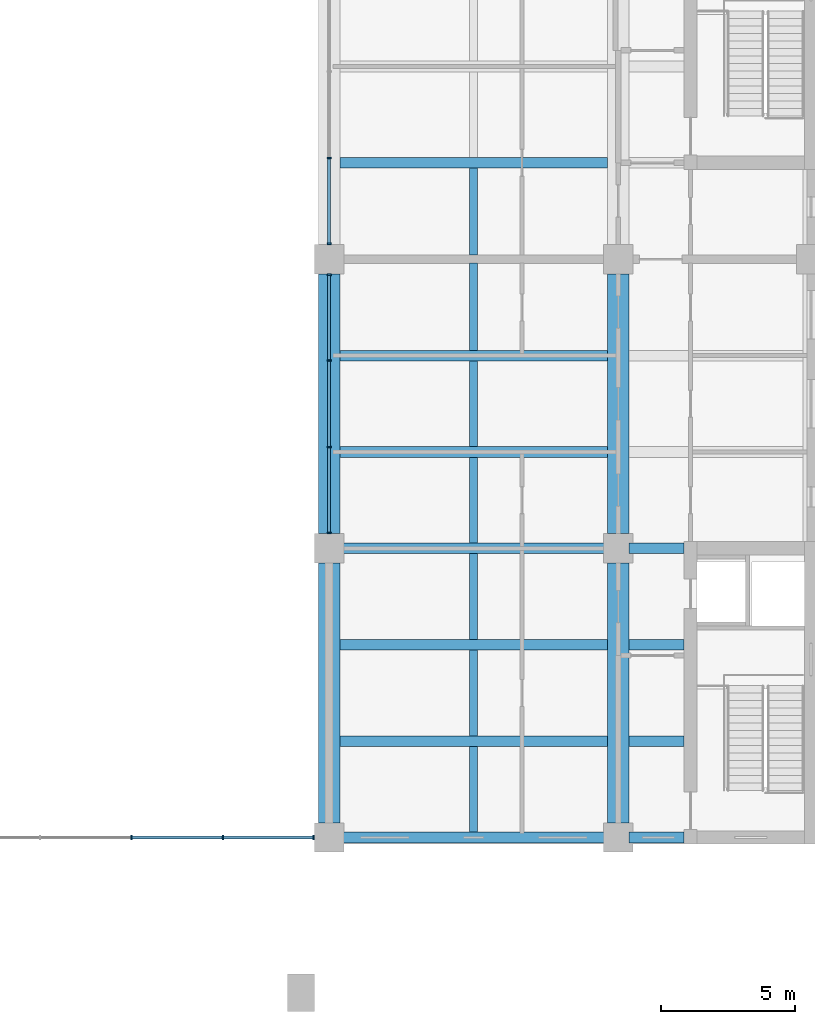
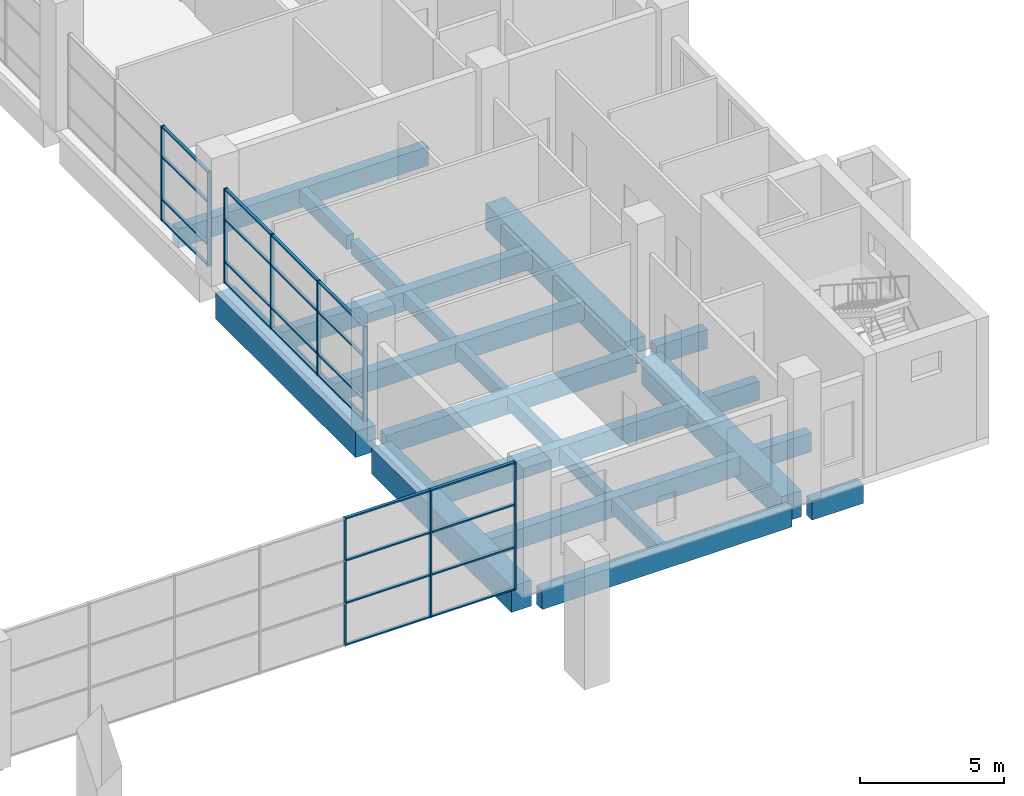
# One storey, part 6 of 32: 33 members, 22 beams, 3 elements without a shape of their own.
"""IFC4 building model written with IfcOpenShell, lengths in metres."""

from ifc_helpers import new_model, si_unit, direction, frame, origin, origin_2d, place, context, subcontext, project, spatial, rectangle, extrude, material, layer, layer_set, material_profile, profile_set, type_object, element, aggregate, save


model = new_model("IFC4")

# Units and contexts
model_context = context("Model", 3, precision=1e-05, world=origin(), true_north=direction((0.0, 1.0)))
body_context = subcontext(model_context, "Body", "Model", "MODEL_VIEW")
ifc_project = project(units=[si_unit("LENGTHUNIT", "METRE"), si_unit("AREAUNIT", "SQUARE_METRE"), si_unit("VOLUMEUNIT", "CUBIC_METRE"), si_unit("PLANEANGLEUNIT", "RADIAN"), si_unit("MASSUNIT", "GRAM", prefix="KILO")], contexts=[model_context])

# Site, building, storey
site_placement = place(None, origin())
site = spatial("IfcSite", under=ifc_project, at=site_placement, CompositionType="ELEMENT")
building_placement = place(site_placement, origin())
building = spatial("IfcBuilding", under=site, at=building_placement, Name="Basin Gate Institute", CompositionType="ELEMENT")
storey_placement = place(building_placement, frame((0.0, 0.0, 11.39990234375)))
storey = spatial("IfcBuildingStorey", under=building, at=storey_placement, Name="L02", CompositionType="ELEMENT", Elevation=11.39990234375)

# Curtain wall, members
ifc_material_1 = material(Name="Aluminium and glass curtain wall", Category="aluminium")
ifc_layer_1 = layer(ifc_material_1, 0.14990234375)
ifc_layer_set_1 = layer_set([ifc_layer_1], Name="Atrium curtain wall CW81")
curtain_wall_type_1 = type_object("IfcCurtainWallType", Name="Atrium curtain wall CW81", PredefinedType="NOTDEFINED", material=ifc_layer_set_1)
curtain_wall_1_placement = place(storey_placement, origin())
curtain_wall_1 = element("IfcCurtainWall", 1, at=curtain_wall_1_placement, inside=storey, type_object=curtain_wall_type_1, material=ifc_layer_set_1, Name="Atrium end screen S L02", PredefinedType="NOTDEFINED")
ifc_material_2 = material(Name="Aluminium mullion", Category="aluminium")
ifc_material_profile_1 = material_profile(ifc_material_2, rectangle(XDim=0.159912109375, YDim=0.06005859375, at=origin_2d()), Name="Atrium mullion MU81 160 x 60")
ifc_profile_set_1 = profile_set([ifc_material_profile_1], Name="Aluminium mullion")
member_type_1 = type_object("IfcMemberType", Name="Atrium mullion MU81", PredefinedType="MULLION", material=ifc_profile_set_1)
member_1_placement = place(storey_placement, frame((93.416748046875, 35.10009765625, 0.0), z_axis=(0.0, 0.0, 1.0), x_axis=(0.0, 1.0, 0.0)))
member_1 = element("IfcMember", 2, at=member_1_placement, type_object=member_type_1, material=ifc_profile_set_1, Name="CW81 mullion 5", PredefinedType="MULLION", context=body_context, shape_type="SweptSolid", body=[
    extrude(rectangle(XDim=0.159912109375, YDim=0.06005859375, at=origin_2d()), origin(), (0.0, 0.0, 1.0), 5.400146484375),
])
member_2_placement = place(storey_placement, frame((96.833251953125, 35.10009765625, 0.0), z_axis=(0.0, 0.0, 1.0), x_axis=(0.0, 1.0, 0.0)))
member_2 = element("IfcMember", 3, at=member_2_placement, type_object=member_type_1, material=ifc_profile_set_1, Name="CW81 mullion 6", PredefinedType="MULLION", context=body_context, shape_type="SweptSolid", body=[
    extrude(rectangle(XDim=0.159912109375, YDim=0.06005859375, at=origin_2d()), origin(), (0.0, 0.0, 1.0), 5.400146484375),
])
member_3_placement = place(storey_placement, frame((100.219970703125, 35.10009765625, 0.0), z_axis=(0.0, 0.0, 1.0), x_axis=(0.0, 1.0, 0.0)))
member_3 = element("IfcMember", 4, at=member_3_placement, type_object=member_type_1, material=ifc_profile_set_1, Name="CW81 mullion 7", PredefinedType="MULLION", context=body_context, shape_type="SweptSolid", body=[
    extrude(rectangle(XDim=0.159912109375, YDim=0.06005859375, at=origin_2d()), origin(), (0.0, 0.0, 1.0), 5.400146484375),
])
ifc_material_3 = material(Name="Aluminium transom", Category="aluminium")
ifc_material_profile_2 = material_profile(ifc_material_3, rectangle(XDim=0.1201171875, YDim=0.06005859375, at=origin_2d()), Name="Atrium transom TR81 120 x 60")
ifc_profile_set_2 = profile_set([ifc_material_profile_2], Name="Aluminium transom")
member_type_2 = type_object("IfcMemberType", Name="Atrium transom TR81", PredefinedType="USERDEFINED", material=ifc_profile_set_2)
member_4_placement = place(storey_placement, frame((93.44677734375, 35.10009765625, 0.030029296875), z_axis=(1.0, 0.0, 0.0), x_axis=(0.0, 1.0, 0.0)))
member_4 = element("IfcMember", 5, at=member_4_placement, type_object=member_type_2, material=ifc_profile_set_2, Name="CW81 transom 5.1", ObjectType="TRANSOM", PredefinedType="USERDEFINED", context=body_context, shape_type="SweptSolid", body=[
    extrude(rectangle(XDim=0.1201171875, YDim=0.06005859375, at=origin_2d()), origin(), (0.0, 0.0, 1.0), 3.3564453125),
])
member_5_placement = place(storey_placement, frame((93.44677734375, 35.10009765625, 1.800048828125), z_axis=(1.0, 0.0, 0.0), x_axis=(0.0, 1.0, 0.0)))
member_5 = element("IfcMember", 6, at=member_5_placement, type_object=member_type_2, material=ifc_profile_set_2, Name="CW81 transom 5.2", ObjectType="TRANSOM", PredefinedType="USERDEFINED", context=body_context, shape_type="SweptSolid", body=[
    extrude(rectangle(XDim=0.1201171875, YDim=0.06005859375, at=origin_2d()), origin(), (0.0, 0.0, 1.0), 3.3564453125),
])
member_6_placement = place(storey_placement, frame((93.44677734375, 35.10009765625, 3.60009765625), z_axis=(1.0, 0.0, 0.0), x_axis=(0.0, 1.0, 0.0)))
member_6 = element("IfcMember", 7, at=member_6_placement, type_object=member_type_2, material=ifc_profile_set_2, Name="CW81 transom 5.3", ObjectType="TRANSOM", PredefinedType="USERDEFINED", context=body_context, shape_type="SweptSolid", body=[
    extrude(rectangle(XDim=0.1201171875, YDim=0.06005859375, at=origin_2d()), origin(), (0.0, 0.0, 1.0), 3.3564453125),
])
member_7_placement = place(storey_placement, frame((93.44677734375, 35.10009765625, 5.3701171875), z_axis=(1.0, 0.0, 0.0), x_axis=(0.0, 1.0, 0.0)))
member_7 = element("IfcMember", 8, at=member_7_placement, type_object=member_type_2, material=ifc_profile_set_2, Name="CW81 transom 5.4", ObjectType="TRANSOM", PredefinedType="USERDEFINED", context=body_context, shape_type="SweptSolid", body=[
    extrude(rectangle(XDim=0.1201171875, YDim=0.06005859375, at=origin_2d()), origin(), (0.0, 0.0, 1.0), 3.3564453125),
])
member_8_placement = place(storey_placement, frame((96.86328125, 35.10009765625, 0.030029296875), z_axis=(1.0, 0.0, 0.0), x_axis=(0.0, 1.0, 0.0)))
member_8 = element("IfcMember", 9, at=member_8_placement, type_object=member_type_2, material=ifc_profile_set_2, Name="CW81 transom 6.1", ObjectType="TRANSOM", PredefinedType="USERDEFINED", context=body_context, shape_type="SweptSolid", body=[
    extrude(rectangle(XDim=0.1201171875, YDim=0.06005859375, at=origin_2d()), origin(), (0.0, 0.0, 1.0), 3.32666015625),
])
member_9_placement = place(storey_placement, frame((96.86328125, 35.10009765625, 1.800048828125), z_axis=(1.0, 0.0, 0.0), x_axis=(0.0, 1.0, 0.0)))
member_9 = element("IfcMember", 10, at=member_9_placement, type_object=member_type_2, material=ifc_profile_set_2, Name="CW81 transom 6.2", ObjectType="TRANSOM", PredefinedType="USERDEFINED", context=body_context, shape_type="SweptSolid", body=[
    extrude(rectangle(XDim=0.1201171875, YDim=0.06005859375, at=origin_2d()), origin(), (0.0, 0.0, 1.0), 3.32666015625),
])
member_10_placement = place(storey_placement, frame((96.86328125, 35.10009765625, 3.60009765625), z_axis=(1.0, 0.0, 0.0), x_axis=(0.0, 1.0, 0.0)))
member_10 = element("IfcMember", 11, at=member_10_placement, type_object=member_type_2, material=ifc_profile_set_2, Name="CW81 transom 6.3", ObjectType="TRANSOM", PredefinedType="USERDEFINED", context=body_context, shape_type="SweptSolid", body=[
    extrude(rectangle(XDim=0.1201171875, YDim=0.06005859375, at=origin_2d()), origin(), (0.0, 0.0, 1.0), 3.32666015625),
])
member_11_placement = place(storey_placement, frame((96.86328125, 35.10009765625, 5.3701171875), z_axis=(1.0, 0.0, 0.0), x_axis=(0.0, 1.0, 0.0)))
member_11 = element("IfcMember", 12, at=member_11_placement, type_object=member_type_2, material=ifc_profile_set_2, Name="CW81 transom 6.4", ObjectType="TRANSOM", PredefinedType="USERDEFINED", context=body_context, shape_type="SweptSolid", body=[
    extrude(rectangle(XDim=0.1201171875, YDim=0.06005859375, at=origin_2d()), origin(), (0.0, 0.0, 1.0), 3.32666015625),
])
aggregate(curtain_wall_1, [member_1, member_2, member_3, member_4, member_5, member_6, member_7, member_8, member_9, member_10, member_11])

# Beams
ifc_material_4 = material(Name="Concrete 40 MPa", Category="concrete")
ifc_material_profile_3 = material_profile(ifc_material_4, rectangle(XDim=0.39990234375, YDim=0.800048828125, at=origin_2d()), Name="Beam B2 400 x 800")
ifc_profile_set_3 = profile_set([ifc_material_profile_3], Name="Concrete 40 MPa")
beam_type_1 = type_object("IfcBeamType", Name="Beam B2 R180", PredefinedType="BEAM", material=ifc_profile_set_3)
beam_1_placement = place(storey_placement, frame((111.199951171875, 35.10009765625, -0.699951171875), z_axis=(-1.0, 0.0, 0.0), x_axis=(0.0, -1.0, 0.0)))
element("IfcBeam", 13, at=beam_1_placement, inside=storey, type_object=beam_type_1, material=ifc_profile_set_3, Name="BEAM/L02/E/EW/01", PredefinedType="BEAM", context=body_context, shape_type="SweptSolid", body=[
    extrude(rectangle(XDim=0.39990234375, YDim=0.800048828125, at=origin_2d()), origin(), (0.0, 0.0, 1.0), 10.0),
])
beam_2_placement = place(storey_placement, frame((114.050048828125, 35.10009765625, -0.699951171875), z_axis=(-1.0, 0.0, 0.0), x_axis=(0.0, -1.0, 0.0)))
element("IfcBeam", 14, at=beam_2_placement, inside=storey, type_object=beam_type_1, material=ifc_profile_set_3, Name="BEAM/L02/E/CORR/01", PredefinedType="BEAM", context=body_context, shape_type="SweptSolid", body=[
    extrude(rectangle(XDim=0.39990234375, YDim=0.800048828125, at=origin_2d()), origin(), (0.0, 0.0, 1.0), 2.050048828125),
])
beam_3_placement = place(storey_placement, frame((111.199951171875, 38.699951171875, -0.699951171875), z_axis=(-1.0, 0.0, 0.0), x_axis=(0.0, -1.0, 0.0)))
element("IfcBeam", 15, at=beam_3_placement, inside=storey, type_object=beam_type_1, material=ifc_profile_set_3, Name="BEAM/L02/E/EW/02", PredefinedType="BEAM", context=body_context, shape_type="SweptSolid", body=[
    extrude(rectangle(XDim=0.39990234375, YDim=0.800048828125, at=origin_2d()), origin(), (0.0, 0.0, 1.0), 10.0),
])
beam_4_placement = place(storey_placement, frame((114.050048828125, 38.699951171875, -0.699951171875), z_axis=(-1.0, 0.0, 0.0), x_axis=(0.0, -1.0, 0.0)))
element("IfcBeam", 16, at=beam_4_placement, inside=storey, type_object=beam_type_1, material=ifc_profile_set_3, Name="BEAM/L02/E/CORR/02", PredefinedType="BEAM", context=body_context, shape_type="SweptSolid", body=[
    extrude(rectangle(XDim=0.39990234375, YDim=0.800048828125, at=origin_2d()), origin(), (0.0, 0.0, 1.0), 2.050048828125),
])
beam_5_placement = place(storey_placement, frame((111.199951171875, 42.300048828125, -0.699951171875), z_axis=(-1.0, 0.0, 0.0), x_axis=(0.0, -1.0, 0.0)))
element("IfcBeam", 17, at=beam_5_placement, inside=storey, type_object=beam_type_1, material=ifc_profile_set_3, Name="BEAM/L02/E/EW/03", PredefinedType="BEAM", context=body_context, shape_type="SweptSolid", body=[
    extrude(rectangle(XDim=0.39990234375, YDim=0.800048828125, at=origin_2d()), origin(), (0.0, 0.0, 1.0), 10.0),
])
beam_6_placement = place(storey_placement, frame((114.050048828125, 42.300048828125, -0.699951171875), z_axis=(-1.0, 0.0, 0.0), x_axis=(0.0, -1.0, 0.0)))
element("IfcBeam", 18, at=beam_6_placement, inside=storey, type_object=beam_type_1, material=ifc_profile_set_3, Name="BEAM/L02/E/CORR/03", PredefinedType="BEAM", context=body_context, shape_type="SweptSolid", body=[
    extrude(rectangle(XDim=0.39990234375, YDim=0.800048828125, at=origin_2d()), origin(), (0.0, 0.0, 1.0), 2.050048828125),
])
beam_7_placement = place(storey_placement, frame((111.199951171875, 45.89990234375, -0.699951171875), z_axis=(-1.0, 0.0, 0.0), x_axis=(0.0, -1.0, 0.0)))
element("IfcBeam", 19, at=beam_7_placement, inside=storey, type_object=beam_type_1, material=ifc_profile_set_3, Name="BEAM/L02/E/EW/04", PredefinedType="BEAM", context=body_context, shape_type="SweptSolid", body=[
    extrude(rectangle(XDim=0.39990234375, YDim=0.800048828125, at=origin_2d()), origin(), (0.0, 0.0, 1.0), 10.0),
])
beam_8_placement = place(storey_placement, frame((114.050048828125, 45.89990234375, -0.699951171875), z_axis=(-1.0, 0.0, 0.0), x_axis=(0.0, -1.0, 0.0)))
element("IfcBeam", 20, at=beam_8_placement, inside=storey, type_object=beam_type_1, material=ifc_profile_set_3, Name="BEAM/L02/E/CORR/04", PredefinedType="BEAM", context=body_context, shape_type="SweptSolid", body=[
    extrude(rectangle(XDim=0.39990234375, YDim=0.800048828125, at=origin_2d()), origin(), (0.0, 0.0, 1.0), 2.050048828125),
])
for number, where, z_axis, x_axis, name in (
    (21, (111.199951171875, 49.5, -0.699951171875), (-1.0, 0.0, 0.0), (0.0, -1.0, 0.0), "BEAM/L02/E/EW/05"),
    (22, (111.199951171875, 53.10009765625, -0.699951171875), (-1.0, 0.0, 0.0), (0.0, -1.0, 0.0), "BEAM/L02/E/EW/06"),
    (23, (111.199951171875, 60.300048828125, -0.699951171875), (-1.0, 0.0, 0.0), (0.0, -1.0, 0.0), "BEAM/L02/E/EW/08"),
):
    element("IfcBeam", number, at=place(storey_placement, frame(where, z_axis=z_axis, x_axis=x_axis)), inside=storey, type_object=beam_type_1, material=ifc_profile_set_3, Name=name, PredefinedType="BEAM", context=body_context, shape_type="SweptSolid", body=[
        extrude(rectangle(XDim=0.39990234375, YDim=0.800048828125, at=origin_2d()), origin(), (0.0, 0.0, 1.0), 10.0),
    ])
ifc_material_5 = material(Name="Concrete 50 MPa", Category="concrete")
ifc_material_profile_4 = material_profile(ifc_material_5, rectangle(XDim=0.800048828125, YDim=1.10009765625, at=origin_2d()), Name="Girder G2 800 x 1100")
ifc_profile_set_4 = profile_set([ifc_material_profile_4], Name="Concrete 50 MPa")
beam_type_2 = type_object("IfcBeamType", Name="Girder G2 R180", PredefinedType="BEAM", material=ifc_profile_set_4)
beam_9_placement = place(storey_placement, frame((111.60009765625, 35.64990234375, -0.849853515625), z_axis=(0.0, 1.0, 0.0), x_axis=(-1.0, 0.0, 0.0)))
element("IfcBeam", 24, at=beam_9_placement, inside=storey, type_object=beam_type_2, material=ifc_profile_set_4, Name="GIR/L02/E8/1", PredefinedType="BEAM", context=body_context, shape_type="SweptSolid", body=[
    extrude(rectangle(XDim=0.800048828125, YDim=1.10009765625, at=origin_2d()), origin(), (0.0, 0.0, 1.0), 9.7001953125),
])
beam_10_placement = place(storey_placement, frame((111.60009765625, 46.449951171875, -0.849853515625), z_axis=(0.0, 1.0, 0.0), x_axis=(-1.0, 0.0, 0.0)))
element("IfcBeam", 25, at=beam_10_placement, inside=storey, type_object=beam_type_2, material=ifc_profile_set_4, Name="GIR/L02/E8/2", PredefinedType="BEAM", context=body_context, shape_type="SweptSolid", body=[
    extrude(rectangle(XDim=0.800048828125, YDim=1.10009765625, at=origin_2d()), origin(), (0.0, 0.0, 1.0), 9.699951171875),
])
beam_11_placement = place(storey_placement, frame((100.800048828125, 35.64990234375, -0.849853515625), z_axis=(0.0, 1.0, 0.0), x_axis=(-1.0, 0.0, 0.0)))
element("IfcBeam", 26, at=beam_11_placement, inside=storey, type_object=beam_type_2, material=ifc_profile_set_4, Name="GIR/L02/E7/1", PredefinedType="BEAM", context=body_context, shape_type="SweptSolid", body=[
    extrude(rectangle(XDim=0.800048828125, YDim=1.10009765625, at=origin_2d()), origin(), (0.0, 0.0, 1.0), 9.7001953125),
])
beam_12_placement = place(storey_placement, frame((100.800048828125, 46.449951171875, -0.849853515625), z_axis=(0.0, 1.0, 0.0), x_axis=(-1.0, 0.0, 0.0)))
element("IfcBeam", 27, at=beam_12_placement, inside=storey, type_object=beam_type_2, material=ifc_profile_set_4, Name="GIR/L02/E7/2", PredefinedType="BEAM", context=body_context, shape_type="SweptSolid", body=[
    extrude(rectangle(XDim=0.800048828125, YDim=1.10009765625, at=origin_2d()), origin(), (0.0, 0.0, 1.0), 9.699951171875),
])

# Curtain wall, members
ifc_material_6 = material(Name="Fire-resistant glazing in steel-free frame", Category="steel")
ifc_layer_2 = layer(ifc_material_6, 0.199951171875)
ifc_layer_set_2 = layer_set([ifc_layer_2], Name="Fire-resistant glazing in steel-free frame")
curtain_wall_type_2 = type_object("IfcCurtainWallType", Name="Atrium rated curtain wall CW3", PredefinedType="NOTDEFINED", material=ifc_layer_set_2)
curtain_wall_2_placement = place(storey_placement, origin())
curtain_wall_2 = element("IfcCurtainWall", 28, at=curtain_wall_2_placement, inside=storey, type_object=curtain_wall_type_2, material=ifc_layer_set_2, Name="Atrium rated curtain wall E wing atrium bay 2 L02", PredefinedType="NOTDEFINED")
ifc_material_7 = material(Name="Aluminium", Category="aluminium")
ifc_material_profile_5 = material_profile(ifc_material_7, rectangle(XDim=0.14990234375, YDim=0.06005859375, at=origin_2d()), Name="Mullion MU3 150 x 60")
ifc_profile_set_5 = profile_set([ifc_material_profile_5], Name="Aluminium")
member_type_3 = type_object("IfcMemberType", Name="Mullion MU3", PredefinedType="MULLION", material=ifc_profile_set_5)
member_12_placement = place(storey_placement, frame((100.800048828125, 46.47998046875, 0.0), z_axis=(0.0, 0.0, 1.0), x_axis=(-1.0, 0.0, 0.0)))
member_12 = element("IfcMember", 29, at=member_12_placement, type_object=member_type_3, material=ifc_profile_set_5, Name="CW3 mullion 1", PredefinedType="MULLION", context=body_context, shape_type="SweptSolid", body=[
    extrude(rectangle(XDim=0.14990234375, YDim=0.06005859375, at=origin_2d()), origin(), (0.0, 0.0, 1.0), 4.0),
])
member_13_placement = place(storey_placement, frame((100.800048828125, 49.683349609375, 0.0), z_axis=(0.0, 0.0, 1.0), x_axis=(-1.0, 0.0, 0.0)))
member_13 = element("IfcMember", 30, at=member_13_placement, type_object=member_type_3, material=ifc_profile_set_5, Name="CW3 mullion 2", PredefinedType="MULLION", context=body_context, shape_type="SweptSolid", body=[
    extrude(rectangle(XDim=0.14990234375, YDim=0.06005859375, at=origin_2d()), origin(), (0.0, 0.0, 1.0), 4.0),
])
member_14_placement = place(storey_placement, frame((100.800048828125, 52.916748046875, 0.0), z_axis=(0.0, 0.0, 1.0), x_axis=(-1.0, 0.0, 0.0)))
member_14 = element("IfcMember", 31, at=member_14_placement, type_object=member_type_3, material=ifc_profile_set_5, Name="CW3 mullion 3", PredefinedType="MULLION", context=body_context, shape_type="SweptSolid", body=[
    extrude(rectangle(XDim=0.14990234375, YDim=0.06005859375, at=origin_2d()), origin(), (0.0, 0.0, 1.0), 4.0),
])
member_15_placement = place(storey_placement, frame((100.800048828125, 56.1201171875, 0.0), z_axis=(0.0, 0.0, 1.0), x_axis=(-1.0, 0.0, 0.0)))
member_15 = element("IfcMember", 32, at=member_15_placement, type_object=member_type_3, material=ifc_profile_set_5, Name="CW3 mullion 4", PredefinedType="MULLION", context=body_context, shape_type="SweptSolid", body=[
    extrude(rectangle(XDim=0.14990234375, YDim=0.06005859375, at=origin_2d()), origin(), (0.0, 0.0, 1.0), 4.0),
])

curtain_wall_3_placement = place(storey_placement, origin())
curtain_wall_3 = element("IfcCurtainWall", 33, at=curtain_wall_3_placement, inside=storey, type_object=curtain_wall_type_2, material=ifc_layer_set_2, Name="Atrium rated curtain wall E wing atrium bay 3 L02", PredefinedType="NOTDEFINED")
member_16_placement = place(storey_placement, frame((100.800048828125, 57.280029296875, 0.0), z_axis=(0.0, 0.0, 1.0), x_axis=(-1.0, 0.0, 0.0)))
member_16 = element("IfcMember", 34, at=member_16_placement, type_object=member_type_3, material=ifc_profile_set_5, Name="CW3 mullion 1", PredefinedType="MULLION", context=body_context, shape_type="SweptSolid", body=[
    extrude(rectangle(XDim=0.14990234375, YDim=0.06005859375, at=origin_2d()), origin(), (0.0, 0.0, 1.0), 4.0),
])
member_17_placement = place(storey_placement, frame((100.800048828125, 60.4833984375, 0.0), z_axis=(0.0, 0.0, 1.0), x_axis=(-1.0, 0.0, 0.0)))
member_17 = element("IfcMember", 35, at=member_17_placement, type_object=member_type_3, material=ifc_profile_set_5, Name="CW3 mullion 2", PredefinedType="MULLION", context=body_context, shape_type="SweptSolid", body=[
    extrude(rectangle(XDim=0.14990234375, YDim=0.06005859375, at=origin_2d()), origin(), (0.0, 0.0, 1.0), 4.0),
])

# Beams
ifc_material_8 = material(Name="Concrete 40 MPa", Category="concrete")
ifc_material_profile_6 = material_profile(ifc_material_8, rectangle(XDim=0.300048828125, YDim=0.60009765625, at=origin_2d()), Name="Rib R2 300 x 600")
ifc_profile_set_6 = profile_set([ifc_material_profile_6], Name="Concrete 40 MPa")
beam_type_3 = type_object("IfcBeamType", Name="Rib R2 R180", PredefinedType="JOIST", material=ifc_profile_set_6)
beam_13_placement = place(storey_placement, frame((106.199951171875, 35.300048828125, -0.599853515625), z_axis=(0.0, 1.0, 0.0), x_axis=(-1.0, 0.0, 0.0)))
element("IfcBeam", 36, at=beam_13_placement, inside=storey, type_object=beam_type_3, material=ifc_profile_set_6, Name="BEAM/L02/E/RIB/01", PredefinedType="JOIST", context=body_context, shape_type="SweptSolid", body=[
    extrude(rectangle(XDim=0.300048828125, YDim=0.60009765625, at=origin_2d()), origin(), (0.0, 0.0, 1.0), 3.199951171875),
])
beam_14_placement = place(storey_placement, frame((106.199951171875, 38.89990234375, -0.599853515625), z_axis=(0.0, 1.0, 0.0), x_axis=(-1.0, 0.0, 0.0)))
element("IfcBeam", 37, at=beam_14_placement, inside=storey, type_object=beam_type_3, material=ifc_profile_set_6, Name="BEAM/L02/E/RIB/02", PredefinedType="JOIST", context=body_context, shape_type="SweptSolid", body=[
    extrude(rectangle(XDim=0.300048828125, YDim=0.60009765625, at=origin_2d()), origin(), (0.0, 0.0, 1.0), 3.2001953125),
])
for number, where, z_axis, x_axis, name in (
    (38, (106.199951171875, 42.5, -0.599853515625), (0.0, 1.0, 0.0), (-1.0, 0.0, 0.0), "BEAM/L02/E/RIB/03"),
    (39, (106.199951171875, 46.10009765625, -0.599853515625), (0.0, 1.0, 0.0), (-1.0, 0.0, 0.0), "BEAM/L02/E/RIB/04"),
    (40, (106.199951171875, 49.699951171875, -0.599853515625), (0.0, 1.0, 0.0), (-1.0, 0.0, 0.0), "BEAM/L02/E/RIB/05"),
):
    element("IfcBeam", number, at=place(storey_placement, frame(where, z_axis=z_axis, x_axis=x_axis)), inside=storey, type_object=beam_type_3, material=ifc_profile_set_6, Name=name, PredefinedType="JOIST", context=body_context, shape_type="SweptSolid", body=[
        extrude(rectangle(XDim=0.300048828125, YDim=0.60009765625, at=origin_2d()), origin(), (0.0, 0.0, 1.0), 3.199951171875),
    ])
for number, where, z_axis, x_axis, name in (
    (41, (106.199951171875, 53.300048828125, -0.599853515625), (0.0, 1.0, 0.0), (-1.0, 0.0, 0.0), "BEAM/L02/E/RIB/06"),
    (42, (106.199951171875, 56.85009765625, -0.599853515625), (0.0, 1.0, 0.0), (-1.0, 0.0, 0.0), "BEAM/L02/E/RIB/07"),
):
    element("IfcBeam", number, at=place(storey_placement, frame(where, z_axis=z_axis, x_axis=x_axis)), inside=storey, type_object=beam_type_3, material=ifc_profile_set_6, Name=name, PredefinedType="JOIST", context=body_context, shape_type="SweptSolid", body=[
        extrude(rectangle(XDim=0.300048828125, YDim=0.60009765625, at=origin_2d()), origin(), (0.0, 0.0, 1.0), 3.25),
    ])

# Member
ifc_material_9 = material(Name="Aluminium", Category="aluminium")
ifc_material_profile_7 = material_profile(ifc_material_9, rectangle(XDim=0.1201171875, YDim=0.06005859375, at=origin_2d()), Name="Transom TR3 120 x 60")
ifc_profile_set_7 = profile_set([ifc_material_profile_7], Name="Aluminium")
member_type_4 = type_object("IfcMemberType", Name="Transom TR3", PredefinedType="USERDEFINED", material=ifc_profile_set_7)
member_18_placement = place(storey_placement, frame((100.800048828125, 46.510009765625, 0.030029296875), z_axis=(0.0, 1.0, 0.0), x_axis=(-1.0, 0.0, 0.0)))
member_18 = element("IfcMember", 43, at=member_18_placement, type_object=member_type_4, material=ifc_profile_set_7, Name="CW3 transom 1.1", ObjectType="TRANSOM", PredefinedType="USERDEFINED", context=body_context, shape_type="SweptSolid", body=[
    extrude(rectangle(XDim=0.1201171875, YDim=0.06005859375, at=origin_2d()), origin(), (0.0, 0.0, 1.0), 3.143310546875),
])

member_19_placement = place(storey_placement, frame((100.800048828125, 46.510009765625, 0.900146484375), z_axis=(0.0, 1.0, 0.0), x_axis=(-1.0, 0.0, 0.0)))
member_19 = element("IfcMember", 44, at=member_19_placement, type_object=member_type_4, material=ifc_profile_set_7, Name="CW3 transom 1.2", ObjectType="TRANSOM", PredefinedType="USERDEFINED", context=body_context, shape_type="SweptSolid", body=[
    extrude(rectangle(XDim=0.1201171875, YDim=0.06005859375, at=origin_2d()), origin(), (0.0, 0.0, 1.0), 3.143310546875),
])

member_20_placement = place(storey_placement, frame((100.800048828125, 46.510009765625, 2.7001953125), z_axis=(0.0, 1.0, 0.0), x_axis=(-1.0, 0.0, 0.0)))
member_20 = element("IfcMember", 45, at=member_20_placement, type_object=member_type_4, material=ifc_profile_set_7, Name="CW3 transom 1.3", ObjectType="TRANSOM", PredefinedType="USERDEFINED", context=body_context, shape_type="SweptSolid", body=[
    extrude(rectangle(XDim=0.1201171875, YDim=0.06005859375, at=origin_2d()), origin(), (0.0, 0.0, 1.0), 3.143310546875),
])

member_21_placement = place(storey_placement, frame((100.800048828125, 46.510009765625, 3.97021484375), z_axis=(0.0, 1.0, 0.0), x_axis=(-1.0, 0.0, 0.0)))
member_21 = element("IfcMember", 46, at=member_21_placement, type_object=member_type_4, material=ifc_profile_set_7, Name="CW3 transom 1.4", ObjectType="TRANSOM", PredefinedType="USERDEFINED", context=body_context, shape_type="SweptSolid", body=[
    extrude(rectangle(XDim=0.1201171875, YDim=0.06005859375, at=origin_2d()), origin(), (0.0, 0.0, 1.0), 3.143310546875),
])

member_22_placement = place(storey_placement, frame((100.800048828125, 49.71337890625, 0.030029296875), z_axis=(0.0, 1.0, 0.0), x_axis=(-1.0, 0.0, 0.0)))
member_22 = element("IfcMember", 47, at=member_22_placement, type_object=member_type_4, material=ifc_profile_set_7, Name="CW3 transom 2.1", ObjectType="TRANSOM", PredefinedType="USERDEFINED", context=body_context, shape_type="SweptSolid", body=[
    extrude(rectangle(XDim=0.1201171875, YDim=0.06005859375, at=origin_2d()), origin(), (0.0, 0.0, 1.0), 3.17333984375),
])

member_23_placement = place(storey_placement, frame((100.800048828125, 49.71337890625, 0.900146484375), z_axis=(0.0, 1.0, 0.0), x_axis=(-1.0, 0.0, 0.0)))
member_23 = element("IfcMember", 48, at=member_23_placement, type_object=member_type_4, material=ifc_profile_set_7, Name="CW3 transom 2.2", ObjectType="TRANSOM", PredefinedType="USERDEFINED", context=body_context, shape_type="SweptSolid", body=[
    extrude(rectangle(XDim=0.1201171875, YDim=0.06005859375, at=origin_2d()), origin(), (0.0, 0.0, 1.0), 3.17333984375),
])

member_24_placement = place(storey_placement, frame((100.800048828125, 49.71337890625, 2.7001953125), z_axis=(0.0, 1.0, 0.0), x_axis=(-1.0, 0.0, 0.0)))
member_24 = element("IfcMember", 49, at=member_24_placement, type_object=member_type_4, material=ifc_profile_set_7, Name="CW3 transom 2.3", ObjectType="TRANSOM", PredefinedType="USERDEFINED", context=body_context, shape_type="SweptSolid", body=[
    extrude(rectangle(XDim=0.1201171875, YDim=0.06005859375, at=origin_2d()), origin(), (0.0, 0.0, 1.0), 3.17333984375),
])

member_25_placement = place(storey_placement, frame((100.800048828125, 49.71337890625, 3.97021484375), z_axis=(0.0, 1.0, 0.0), x_axis=(-1.0, 0.0, 0.0)))
member_25 = element("IfcMember", 50, at=member_25_placement, type_object=member_type_4, material=ifc_profile_set_7, Name="CW3 transom 2.4", ObjectType="TRANSOM", PredefinedType="USERDEFINED", context=body_context, shape_type="SweptSolid", body=[
    extrude(rectangle(XDim=0.1201171875, YDim=0.06005859375, at=origin_2d()), origin(), (0.0, 0.0, 1.0), 3.17333984375),
])

member_26_placement = place(storey_placement, frame((100.800048828125, 52.94677734375, 0.030029296875), z_axis=(0.0, 1.0, 0.0), x_axis=(-1.0, 0.0, 0.0)))
member_26 = element("IfcMember", 51, at=member_26_placement, type_object=member_type_4, material=ifc_profile_set_7, Name="CW3 transom 3.1", ObjectType="TRANSOM", PredefinedType="USERDEFINED", context=body_context, shape_type="SweptSolid", body=[
    extrude(rectangle(XDim=0.1201171875, YDim=0.06005859375, at=origin_2d()), origin(), (0.0, 0.0, 1.0), 3.143310546875),
])

member_27_placement = place(storey_placement, frame((100.800048828125, 52.94677734375, 0.900146484375), z_axis=(0.0, 1.0, 0.0), x_axis=(-1.0, 0.0, 0.0)))
member_27 = element("IfcMember", 52, at=member_27_placement, type_object=member_type_4, material=ifc_profile_set_7, Name="CW3 transom 3.2", ObjectType="TRANSOM", PredefinedType="USERDEFINED", context=body_context, shape_type="SweptSolid", body=[
    extrude(rectangle(XDim=0.1201171875, YDim=0.06005859375, at=origin_2d()), origin(), (0.0, 0.0, 1.0), 3.143310546875),
])

member_28_placement = place(storey_placement, frame((100.800048828125, 52.94677734375, 2.7001953125), z_axis=(0.0, 1.0, 0.0), x_axis=(-1.0, 0.0, 0.0)))
member_28 = element("IfcMember", 53, at=member_28_placement, type_object=member_type_4, material=ifc_profile_set_7, Name="CW3 transom 3.3", ObjectType="TRANSOM", PredefinedType="USERDEFINED", context=body_context, shape_type="SweptSolid", body=[
    extrude(rectangle(XDim=0.1201171875, YDim=0.06005859375, at=origin_2d()), origin(), (0.0, 0.0, 1.0), 3.143310546875),
])

member_29_placement = place(storey_placement, frame((100.800048828125, 52.94677734375, 3.97021484375), z_axis=(0.0, 1.0, 0.0), x_axis=(-1.0, 0.0, 0.0)))
member_29 = element("IfcMember", 54, at=member_29_placement, type_object=member_type_4, material=ifc_profile_set_7, Name="CW3 transom 3.4", ObjectType="TRANSOM", PredefinedType="USERDEFINED", context=body_context, shape_type="SweptSolid", body=[
    extrude(rectangle(XDim=0.1201171875, YDim=0.06005859375, at=origin_2d()), origin(), (0.0, 0.0, 1.0), 3.143310546875),
])

aggregate(curtain_wall_2, [member_12, member_13, member_14, member_15, member_18, member_19, member_20, member_21, member_22, member_23, member_24, member_25, member_26, member_27, member_28, member_29])

member_30_placement = place(storey_placement, frame((100.800048828125, 57.31005859375, 0.030029296875), z_axis=(0.0, 1.0, 0.0), x_axis=(-1.0, 0.0, 0.0)))
member_30 = element("IfcMember", 55, at=member_30_placement, type_object=member_type_4, material=ifc_profile_set_7, Name="CW3 transom 1.1", ObjectType="TRANSOM", PredefinedType="USERDEFINED", context=body_context, shape_type="SweptSolid", body=[
    extrude(rectangle(XDim=0.1201171875, YDim=0.06005859375, at=origin_2d()), origin(), (0.0, 0.0, 1.0), 3.143310546875),
])

member_31_placement = place(storey_placement, frame((100.800048828125, 57.31005859375, 0.900146484375), z_axis=(0.0, 1.0, 0.0), x_axis=(-1.0, 0.0, 0.0)))
member_31 = element("IfcMember", 56, at=member_31_placement, type_object=member_type_4, material=ifc_profile_set_7, Name="CW3 transom 1.2", ObjectType="TRANSOM", PredefinedType="USERDEFINED", context=body_context, shape_type="SweptSolid", body=[
    extrude(rectangle(XDim=0.1201171875, YDim=0.06005859375, at=origin_2d()), origin(), (0.0, 0.0, 1.0), 3.143310546875),
])

member_32_placement = place(storey_placement, frame((100.800048828125, 57.31005859375, 2.7001953125), z_axis=(0.0, 1.0, 0.0), x_axis=(-1.0, 0.0, 0.0)))
member_32 = element("IfcMember", 57, at=member_32_placement, type_object=member_type_4, material=ifc_profile_set_7, Name="CW3 transom 1.3", ObjectType="TRANSOM", PredefinedType="USERDEFINED", context=body_context, shape_type="SweptSolid", body=[
    extrude(rectangle(XDim=0.1201171875, YDim=0.06005859375, at=origin_2d()), origin(), (0.0, 0.0, 1.0), 3.143310546875),
])

member_33_placement = place(storey_placement, frame((100.800048828125, 57.31005859375, 3.97021484375), z_axis=(0.0, 1.0, 0.0), x_axis=(-1.0, 0.0, 0.0)))
member_33 = element("IfcMember", 58, at=member_33_placement, type_object=member_type_4, material=ifc_profile_set_7, Name="CW3 transom 1.4", ObjectType="TRANSOM", PredefinedType="USERDEFINED", context=body_context, shape_type="SweptSolid", body=[
    extrude(rectangle(XDim=0.1201171875, YDim=0.06005859375, at=origin_2d()), origin(), (0.0, 0.0, 1.0), 3.143310546875),
])

aggregate(curtain_wall_3, [member_16, member_17, member_30, member_31, member_32, member_33])

save(model, "model.ifc")
